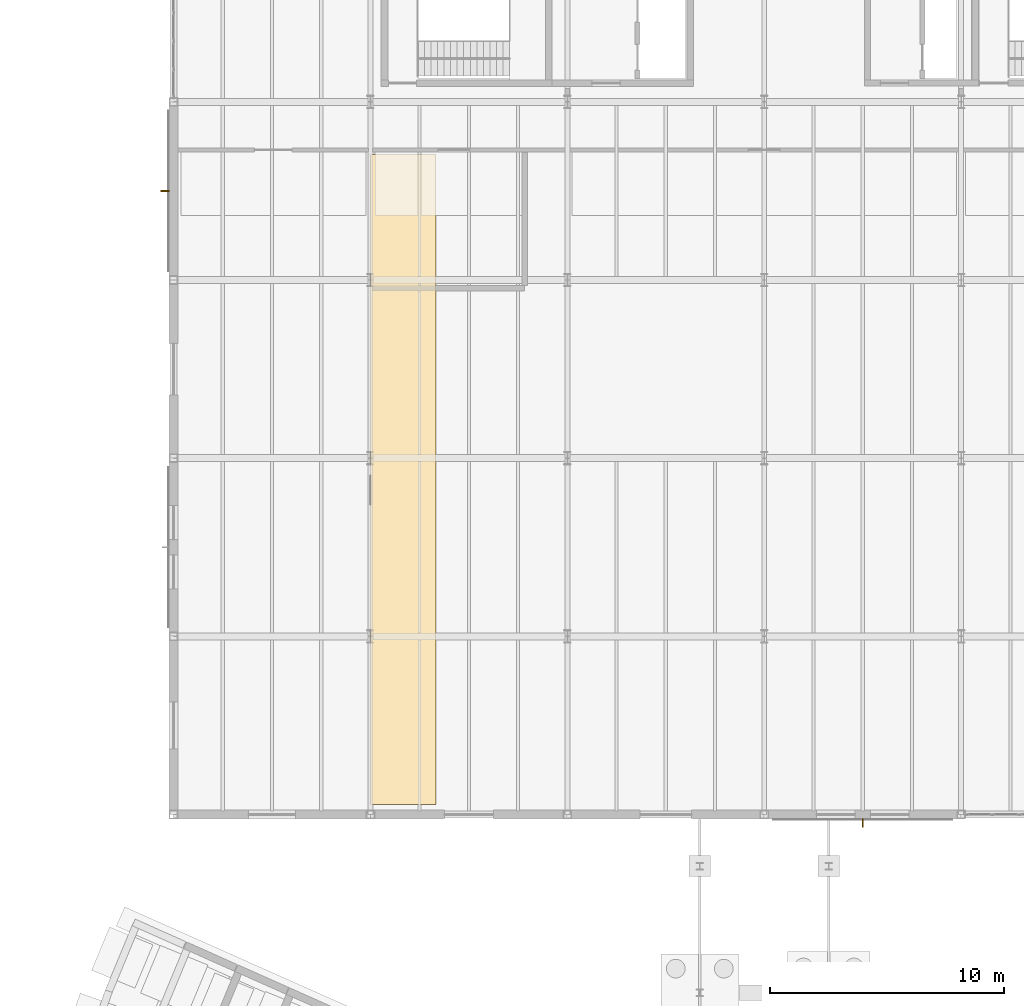
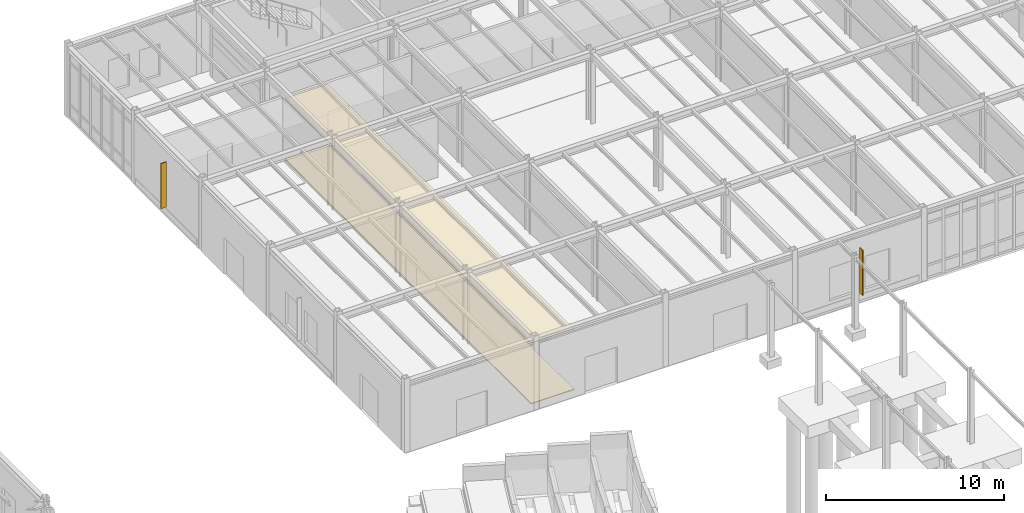
# One storey, part 103 of 109: 2 coverings, 2 shading devices.
"""IFC4 building model written with IfcOpenShell, lengths in metres."""

from ifc_helpers import new_model, si_unit, direction, frame, origin, origin_2d, place, context, subcontext, project, spatial, polyline, rectangle, outline, extrude, material, layer, layer_set, type_object, element, save


model = new_model("IFC4")

# Units and contexts
model_context = context("Model", 3, precision=1e-05, world=origin(), true_north=direction((0.0, 1.0)))
body_context = subcontext(model_context, "Body", "Model", "MODEL_VIEW")
ifc_project = project(units=[si_unit("LENGTHUNIT", "METRE"), si_unit("AREAUNIT", "SQUARE_METRE"), si_unit("VOLUMEUNIT", "CUBIC_METRE"), si_unit("PLANEANGLEUNIT", "RADIAN"), si_unit("MASSUNIT", "GRAM", prefix="KILO")], contexts=[model_context])

# Site, building, storey
site_placement = place(None, origin())
site = spatial("IfcSite", under=ifc_project, at=site_placement, CompositionType="ELEMENT")
building_placement = place(site_placement, origin())
building = spatial("IfcBuilding", under=site, at=building_placement, Name="Montecoro Central Library", CompositionType="ELEMENT")
storey_placement = place(building_placement, origin())
storey = spatial("IfcBuildingStorey", under=building, at=storey_placement, Name="L00", CompositionType="ELEMENT", Elevation=0.0)

# Coverings
ifc_material_1 = material(Name="Acoustic perforated mineral ceiling")
ifc_layer_1 = layer(ifc_material_1, 0.048095703125)
ifc_layer_set_1 = layer_set([ifc_layer_1], Name="Acoustic perforated mineral ceiling")
covering_type_1 = type_object("IfcCoveringType", Name="COV-CLG-04", PredefinedType="CEILING", material=ifc_layer_set_1)
covering_1_placement = place(storey_placement, frame((0.0, 0.0, 4.152099609375)))
element("IfcCovering", 1, at=covering_1_placement, inside=storey, type_object=covering_type_1, Name="CLG-SP-V2-L00-R2B1", PredefinedType="CEILING", context=body_context, shape_type="SweptSolid", body=[
    extrude(outline(polyline([(74.800048828125, 81.419921875), (77.60009765625, 81.419921875), (77.60009765625, 109.14990234375), (74.800048828125, 109.14990234375), (74.800048828125, 81.419921875)])), origin(), (0.0, 0.0, 1.0), 0.0478515625),
])
ifc_material_2 = material(Name="Neapolitan brass-inlaid terrazzo flooring")
ifc_layer_2 = layer(ifc_material_2, 0.052001953125)
ifc_layer_set_2 = layer_set([ifc_layer_2], Name="Neapolitan brass-inlaid terrazzo flooring")
covering_type_2 = type_object("IfcCoveringType", Name="COV-FLR-04", PredefinedType="FLOORING", material=ifc_layer_set_2)
covering_2_placement = place(storey_placement, origin())
element("IfcCovering", 2, at=covering_2_placement, inside=storey, type_object=covering_type_2, Name="FLR-SP-V2-L00-R2B1", PredefinedType="FLOORING", context=body_context, shape_type="SweptSolid", body=[
    extrude(outline(polyline([(74.800048828125, 81.419921875), (77.60009765625, 81.419921875), (77.60009765625, 109.14990234375), (74.800048828125, 109.14990234375), (74.800048828125, 81.419921875)])), origin(), (0.0, 0.0, 1.0), 0.052001953125),
])

# Shading devices
ifc_material_3 = material(Name="Architectural bronze solar fin", Category="aluminium")
shading_device_type = type_object("IfcShadingDeviceType", Name="SHD-FIN-03", PredefinedType="USERDEFINED", material=ifc_material_3)
for number, where, z_axis, x_axis, name in (
    (3, (95.800048828125, 80.62939453125, 0.699951171875), (0.0, 0.0, 1.0), (1.0, 0.0, 0.0), "V2-L00-FIN-S3"),
    (4, (66.029541015625, 107.60009765625, 0.699951171875), (0.0, 0.0, 1.0), (0.0, -1.0, 0.0), "V2-L00-FIN-W3"),
):
    element("IfcShadingDevice", number, at=place(storey_placement, frame(where, z_axis=z_axis, x_axis=x_axis)), inside=storey, type_object=shading_device_type, Name=name, ObjectType="SOLAR FIN", PredefinedType="USERDEFINED", context=body_context, shape_type="SweptSolid", body=[
        extrude(rectangle(XDim=0.06005859375, YDim=0.360107421875, at=origin_2d()), origin(), (0.0, 0.0, 1.0), 3.10009765625),
    ])

save(model, "model.ifc")
